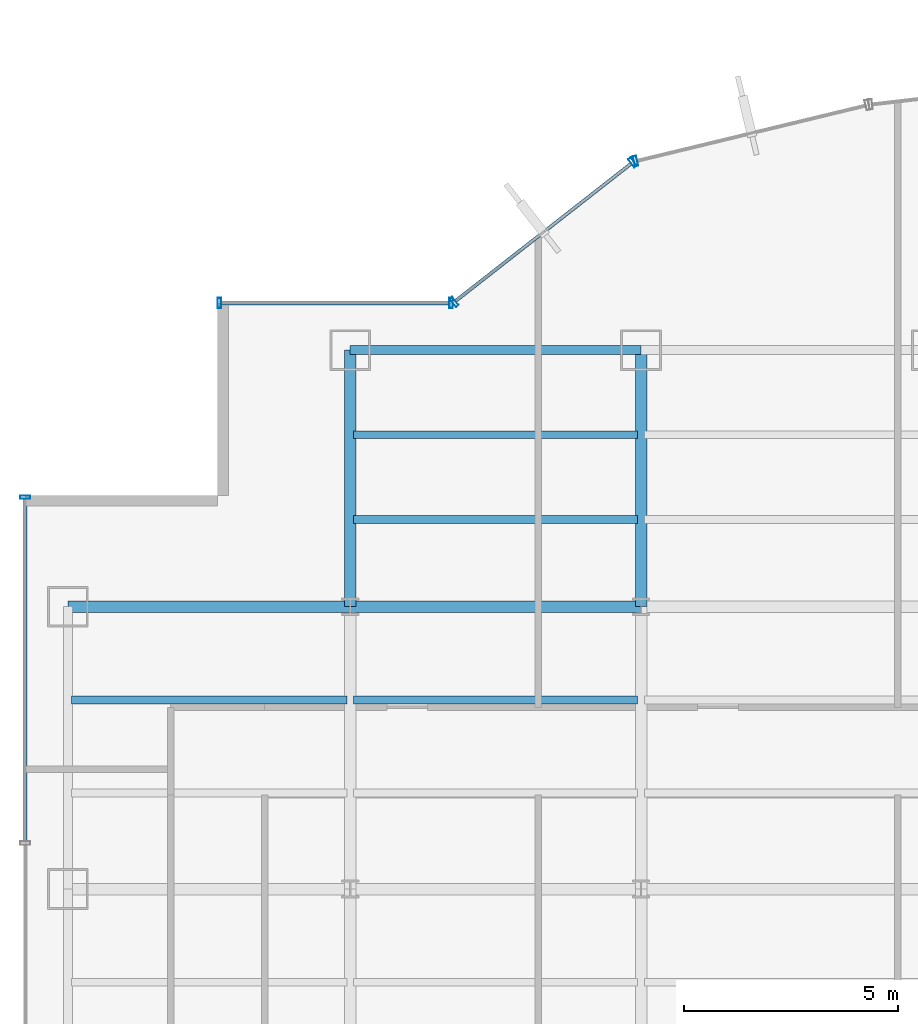
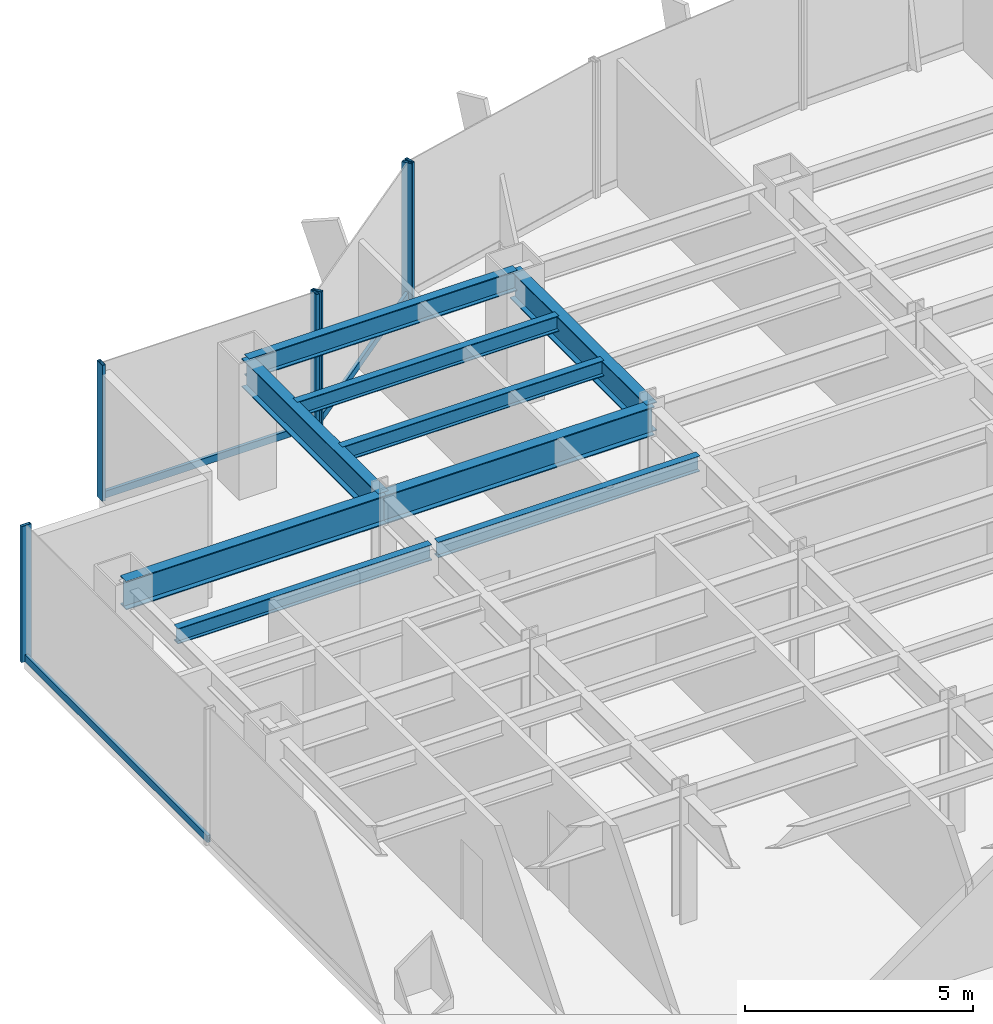
# One storey, part 10 of 22: 9 beams, 9 members, 4 elements without a shape of their own.
"""IFC4 building model written with IfcOpenShell, lengths in metres."""

from ifc_helpers import new_model, si_unit, derived_unit, direction, frame, origin, origin_2d, place, context, subcontext, project, spatial, hollow_rectangle, i_section, extrude, source, transform, mapped, material, material_profile, profile_set, type_object, element, aggregate, save


model = new_model("IFC4")

# Units and contexts
model_context = context("Model", 3, precision=1e-05, world=origin(), true_north=direction((0.0, 1.0)))
body_context = subcontext(model_context, "Body", "Model", "MODEL_VIEW")
ifc_project = project(units=[si_unit("LENGTHUNIT", "METRE"), si_unit("AREAUNIT", "SQUARE_METRE"), si_unit("VOLUMEUNIT", "CUBIC_METRE"), si_unit("PLANEANGLEUNIT", "RADIAN"), si_unit("MASSUNIT", "GRAM", prefix="KILO"), derived_unit("THERMALTRANSMITTANCEUNIT", [(si_unit("POWERUNIT", "WATT"), 1), (si_unit("LENGTHUNIT", "METRE"), -2), (si_unit("THERMODYNAMICTEMPERATUREUNIT", "KELVIN"), -1)])], contexts=[model_context])

# Site, building, storey
site_placement = place(None, origin())
site = spatial("IfcSite", under=ifc_project, at=site_placement, CompositionType="ELEMENT")
building_placement = place(site_placement, origin())
building = spatial("IfcBuilding", under=site, at=building_placement, Name="Skarnbrae Concourse Arena and Tower", CompositionType="ELEMENT")
storey_placement = place(building_placement, frame((0.0, 0.0, 65.35009765625)))
storey = spatial("IfcBuildingStorey", under=building, at=storey_placement, Name="L15", CompositionType="ELEMENT", Elevation=65.35009765625)

# Beams
ifc_material_1 = material(Name="Steel CSA G40.21 350W", Category="steel")
ifc_material_profile_1 = material_profile(ifc_material_1, i_section(OverallWidth=0.26806640625, OverallDepth=0.77001953125, WebThickness=0.015625, FlangeThickness=0.025390625, at=origin_2d()), Name="W760X196")
ifc_profile_set_1 = profile_set([ifc_material_profile_1], Name="Steel CSA G40.21 350W")
beam_type_1 = type_object("IfcBeamType", Name="BM-GIRD-W760X196", PredefinedType="BEAM", material=ifc_profile_set_1)
shared_shape_1 = source(origin(), body_context, "Body", "SweptSolid", [
    extrude(i_section(OverallWidth=0.26806640625, OverallDepth=0.77001953125, WebThickness=0.015625, FlangeThickness=0.025390625, at=origin_2d()), origin(), (0.0, 0.0, 1.0), 6.60009765625),
])
beam_1_placement = place(storey_placement, frame((1.0, 34.39990234375, 3.014892578125), z_axis=(1.0, 0.0, 0.0), x_axis=(0.0, 1.0, 0.0)))
element("IfcBeam", 1, at=beam_1_placement, inside=storey, type_object=beam_type_1, Name="L15 Primary E-W girder Y34.4-1", PredefinedType="BEAM", context=body_context, shape_type="MappedRepresentation", body=[
    mapped(shared_shape_1, transform((0.0, 0.0, 0.0))),
])
shared_shape_2 = source(origin(), body_context, "Body", "SweptSolid", [
    extrude(i_section(OverallWidth=0.26806640625, OverallDepth=0.77001953125, WebThickness=0.015625, FlangeThickness=0.025390625, at=origin_2d()), origin(), (0.0, 0.0, 1.0), 6.7998046875),
])
beam_2_placement = place(storey_placement, frame((7.60009765625, 34.39990234375, 3.014892578125), z_axis=(1.0, 0.0, 0.0), x_axis=(0.0, 1.0, 0.0)))
element("IfcBeam", 2, at=beam_2_placement, inside=storey, type_object=beam_type_1, Name="L15 Primary E-W girder Y34.4-2", PredefinedType="BEAM", context=body_context, shape_type="MappedRepresentation", body=[
    mapped(shared_shape_2, transform((0.0, 0.0, 0.0))),
])
shared_shape_3 = source(origin(), body_context, "Body", "SweptSolid", [
    extrude(i_section(OverallWidth=0.26806640625, OverallDepth=0.77001953125, WebThickness=0.015625, FlangeThickness=0.025390625, at=origin_2d()), origin(), (0.0, 0.0, 1.0), 6.0),
])
for number, where, z_axis, x_axis, name in (
    (3, (7.60009765625, 34.39990234375, 3.014892578125), (0.0, 1.0, 0.0), (-1.0, 0.0, 0.0), "L15 Primary N-S girder X7.6-4"),
    (4, (14.39990234375, 34.39990234375, 3.014892578125), (0.0, 1.0, 0.0), (-1.0, 0.0, 0.0), "L15 Primary N-S girder X14.4-4"),
):
    element("IfcBeam", number, at=place(storey_placement, frame(where, z_axis=z_axis, x_axis=x_axis)), inside=storey, type_object=beam_type_1, Name=name, PredefinedType="BEAM", context=body_context, shape_type="MappedRepresentation", body=[
        mapped(shared_shape_3, transform((0.0, 0.0, 0.0))),
    ])
ifc_material_profile_2 = material_profile(ifc_material_1, i_section(OverallWidth=0.214111328125, OverallDepth=0.549072265625, WebThickness=0.0146484375, FlangeThickness=0.023681640625, at=origin_2d()), Name="W530X138")
ifc_profile_set_2 = profile_set([ifc_material_profile_2], Name="Steel CSA G40.21 350W")
beam_type_2 = type_object("IfcBeamType", Name="BM-SPAN-W530X138", PredefinedType="SPANDREL", material=ifc_profile_set_2)
shared_shape_4 = source(origin(), body_context, "Body", "SweptSolid", [
    extrude(i_section(OverallWidth=0.214111328125, OverallDepth=0.549072265625, WebThickness=0.0146484375, FlangeThickness=0.023681640625, at=origin_2d()), origin(), (0.0, 0.0, 1.0), 6.7998046875),
])
beam_3_placement = place(storey_placement, frame((7.60009765625, 40.39990234375, 3.12548828125), z_axis=(1.0, 0.0, 0.0), x_axis=(0.0, 1.0, 0.0)))
element("IfcBeam", 5, at=beam_3_placement, inside=storey, type_object=beam_type_2, Name="L15 Perimeter spandrel Y40.4-1", PredefinedType="SPANDREL", context=body_context, shape_type="MappedRepresentation", body=[
    mapped(shared_shape_4, transform((0.0, 0.0, 0.0))),
])
ifc_material_profile_3 = material_profile(ifc_material_1, i_section(OverallWidth=0.180908203125, OverallDepth=0.4169921875, WebThickness=0.010986328125, FlangeThickness=0.018310546875, at=origin_2d()), Name="W410X85")
ifc_profile_set_3 = profile_set([ifc_material_profile_3], Name="Steel CSA G40.21 350W")
beam_type_3 = type_object("IfcBeamType", Name="BM-JOIST-W410X85", PredefinedType="JOIST", material=ifc_profile_set_3)
shared_shape_5 = source(origin(), body_context, "Body", "SweptSolid", [
    extrude(i_section(OverallWidth=0.180908203125, OverallDepth=0.4169921875, WebThickness=0.010986328125, FlangeThickness=0.018310546875, at=origin_2d()), origin(), (0.0, 0.0, 1.0), 6.43994140625),
])
beam_4_placement = place(storey_placement, frame((1.080078125, 32.221923828125, 3.19140625), z_axis=(1.0, 0.0, 0.0), x_axis=(0.0, 1.0, 0.0)))
element("IfcBeam", 6, at=beam_4_placement, inside=storey, type_object=beam_type_3, Name="L15 Secondary floor joist 3.2.1", PredefinedType="JOIST", context=body_context, shape_type="MappedRepresentation", body=[
    mapped(shared_shape_5, transform((0.0, 0.0, 0.0))),
])
shared_shape_6 = source(origin(), body_context, "Body", "SweptSolid", [
    extrude(i_section(OverallWidth=0.180908203125, OverallDepth=0.4169921875, WebThickness=0.010986328125, FlangeThickness=0.018310546875, at=origin_2d()), origin(), (0.0, 0.0, 1.0), 6.64013671875),
])
for number, where, z_axis, x_axis, name in (
    (7, (7.679931640625, 32.221923828125, 3.19140625), (1.0, 0.0, 0.0), (0.0, 1.0, 0.0), "L15 Secondary floor joist 3.2.2"),
    (8, (7.679931640625, 36.43994140625, 3.19140625), (1.0, 0.0, 0.0), (0.0, 1.0, 0.0), "L15 Secondary floor joist 4.1.1"),
    (9, (7.679931640625, 38.419921875, 3.19140625), (1.0, 0.0, 0.0), (0.0, 1.0, 0.0), "L15 Secondary floor joist 4.2.1"),
):
    element("IfcBeam", number, at=place(storey_placement, frame(where, z_axis=z_axis, x_axis=x_axis)), inside=storey, type_object=beam_type_3, Name=name, PredefinedType="JOIST", context=body_context, shape_type="MappedRepresentation", body=[
        mapped(shared_shape_6, transform((0.0, 0.0, 0.0))),
    ])

# Curtain wall, member
ifc_material_2 = material(Name="Bronze anodised aluminium 6063-T6", Category="aluminium")
curtain_wall_type = type_object("IfcCurtainWallType", Name="CW-SYS-02-LOWZONE", PredefinedType="USERDEFINED", material=ifc_material_2)
curtain_wall_1_placement = place(storey_placement, origin())
curtain_wall_1 = element("IfcCurtainWall", 10, at=curtain_wall_1_placement, inside=storey, type_object=curtain_wall_type, Name="L15 Unitised curtain wall CW-L15-E14", ObjectType="UNITISED CURTAIN WALL", PredefinedType="USERDEFINED")
ifc_material_profile_4 = material_profile(ifc_material_2, hollow_rectangle(XDim=0.080078125, YDim=0.239990234375, WallThickness=0.0048828125, at=origin_2d()), Name="ALU-MULL-80X240")
ifc_profile_set_4 = profile_set([ifc_material_profile_4], Name="Bronze anodised aluminium 6063-T6")
member_type_1 = type_object("IfcMemberType", Name="CWM-CW-02", PredefinedType="MULLION", material=ifc_profile_set_4)
shared_shape_7 = source(origin(), body_context, "Body", "SweptSolid", [
    extrude(hollow_rectangle(XDim=0.080078125, YDim=0.239990234375, WallThickness=0.0048828125, at=origin_2d()), origin(), (0.0, 0.0, 1.0), 3.64990234375),
])
member_1_placement = place(storey_placement, frame((14.272705078125, 44.821044921875, 0.0), z_axis=(0.0, 0.0, 1.0), x_axis=(-0.971973721569, -0.235089524607, 0.0)))
member_1 = element("IfcMember", 11, at=member_1_placement, type_object=member_type_1, Name="CW-L15-E14 Mullion 2", PredefinedType="MULLION", context=body_context, shape_type="MappedRepresentation", body=[
    mapped(shared_shape_7, transform((0.0, 0.0, 0.0))),
])
aggregate(curtain_wall_1, [member_1])

# Curtain wall, members
curtain_wall_2_placement = place(storey_placement, origin())
curtain_wall_2 = element("IfcCurtainWall", 12, at=curtain_wall_2_placement, inside=storey, type_object=curtain_wall_type, Name="L15 Unitised curtain wall CW-L15-E15", ObjectType="UNITISED CURTAIN WALL", PredefinedType="USERDEFINED")
member_2_placement = place(storey_placement, frame((14.2021484375, 44.787109375, 0.0), z_axis=(0.0, 0.0, 1.0), x_axis=(-0.787651726054, -0.616120733658, 0.0)))
member_2 = element("IfcMember", 13, at=member_2_placement, type_object=member_type_1, Name="CW-L15-E15 Mullion 1", PredefinedType="MULLION", context=body_context, shape_type="MappedRepresentation", body=[
    mapped(shared_shape_7, transform((0.0, 0.0, 0.0))),
])
member_3_placement = place(storey_placement, frame((10.031494140625, 41.524658203125, 0.0), z_axis=(0.0, 0.0, 1.0), x_axis=(-0.787651726054, -0.616120733658, 0.0)))
member_3 = element("IfcMember", 14, at=member_3_placement, type_object=member_type_1, Name="CW-L15-E15 Mullion 2", PredefinedType="MULLION", context=body_context, shape_type="MappedRepresentation", body=[
    mapped(shared_shape_7, transform((0.0, 0.0, 0.0))),
])

curtain_wall_3_placement = place(storey_placement, origin())
curtain_wall_3 = element("IfcCurtainWall", 15, at=curtain_wall_3_placement, inside=storey, type_object=curtain_wall_type, Name="L15 Unitised curtain wall CW-L15-E16", ObjectType="UNITISED CURTAIN WALL", PredefinedType="USERDEFINED")
member_4_placement = place(storey_placement, frame((9.9599609375, 41.5, 0.0), z_axis=(0.0, 0.0, 1.0), x_axis=(-1.0, 0.0, 0.0)))
member_4 = element("IfcMember", 16, at=member_4_placement, type_object=member_type_1, Name="CW-L15-E16 Mullion 1", PredefinedType="MULLION", context=body_context, shape_type="MappedRepresentation", body=[
    mapped(shared_shape_7, transform((0.0, 0.0, 0.0))),
])
member_5_placement = place(storey_placement, frame((4.5400390625, 41.5, 0.0), z_axis=(0.0, 0.0, 1.0), x_axis=(-1.0, 0.0, 0.0)))
member_5 = element("IfcMember", 17, at=member_5_placement, type_object=member_type_1, Name="CW-L15-E16 Mullion 2", PredefinedType="MULLION", context=body_context, shape_type="MappedRepresentation", body=[
    mapped(shared_shape_7, transform((0.0, 0.0, 0.0))),
])

# Curtain wall, member
curtain_wall_4_placement = place(storey_placement, origin())
curtain_wall_4 = element("IfcCurtainWall", 18, at=curtain_wall_4_placement, inside=storey, type_object=curtain_wall_type, Name="L15 Unitised curtain wall CW-L15-E19", ObjectType="UNITISED CURTAIN WALL", PredefinedType="USERDEFINED")
member_6_placement = place(storey_placement, frame((0.0, 36.9599609375, 0.0), z_axis=(0.0, 0.0, 1.0), x_axis=(0.0, -1.0, 0.0)))
member_6 = element("IfcMember", 19, at=member_6_placement, type_object=member_type_1, Name="CW-L15-E19 Mullion 1", PredefinedType="MULLION", context=body_context, shape_type="MappedRepresentation", body=[
    mapped(shared_shape_7, transform((0.0, 0.0, 0.0))),
])

# Member
ifc_material_profile_5 = material_profile(ifc_material_2, hollow_rectangle(XDim=0.080078125, YDim=0.18994140625, WallThickness=0.0048828125, at=origin_2d()), Name="ALU-TRAN-80X190")
ifc_profile_set_5 = profile_set([ifc_material_profile_5], Name="Bronze anodised aluminium 6063-T6")
member_type_2 = type_object("IfcMemberType", Name="CWT-CW-02", PredefinedType="USERDEFINED", material=ifc_profile_set_5)
shared_shape_8 = source(origin(), body_context, "Body", "SweptSolid", [
    extrude(hollow_rectangle(XDim=0.080078125, YDim=0.18994140625, WallThickness=0.0048828125, at=origin_2d()), origin(), (0.0, 0.0, 1.0), 5.33984375),
])
member_7_placement = place(storey_placement, frame((9.919921875, 41.5, 0.094970703125), z_axis=(-1.0, 0.0, 0.0), x_axis=(0.0, -1.0, 0.0)))
member_7 = element("IfcMember", 20, at=member_7_placement, type_object=member_type_2, Name="CW-L15-E16 Transom 1", ObjectType="TRANSOM", PredefinedType="USERDEFINED", context=body_context, shape_type="MappedRepresentation", body=[
    mapped(shared_shape_8, transform((0.0, 0.0, 0.0))),
])

aggregate(curtain_wall_3, [member_4, member_5, member_7])

shared_shape_9 = source(origin(), body_context, "Body", "SweptSolid", [
    extrude(hollow_rectangle(XDim=0.080078125, YDim=0.18994140625, WallThickness=0.0048828125, at=origin_2d()), origin(), (0.0, 0.0, 1.0), 5.215087890625),
])
member_8_placement = place(storey_placement, frame((14.170654296875, 44.762451171875, 0.094970703125), z_axis=(-0.787650196702, -0.616122688784, 0.0), x_axis=(0.616122688784, -0.787650196702, 0.0)))
member_8 = element("IfcMember", 21, at=member_8_placement, type_object=member_type_2, Name="CW-L15-E15 Transom 1", ObjectType="TRANSOM", PredefinedType="USERDEFINED", context=body_context, shape_type="MappedRepresentation", body=[
    mapped(shared_shape_9, transform((0.0, 0.0, 0.0))),
])

aggregate(curtain_wall_2, [member_2, member_3, member_8])

shared_shape_10 = source(origin(), body_context, "Body", "SweptSolid", [
    extrude(hollow_rectangle(XDim=0.080078125, YDim=0.18994140625, WallThickness=0.0048828125, at=origin_2d()), origin(), (0.0, 0.0, 1.0), 8.0048828125),
])
member_9_placement = place(storey_placement, frame((0.0, 36.919921875, 0.094970703125), z_axis=(0.0, -1.0, 0.0), x_axis=(1.0, 0.0, 0.0)))
member_9 = element("IfcMember", 22, at=member_9_placement, type_object=member_type_2, Name="CW-L15-E19 Transom 1", ObjectType="TRANSOM", PredefinedType="USERDEFINED", context=body_context, shape_type="MappedRepresentation", body=[
    mapped(shared_shape_10, transform((0.0, 0.0, 0.0))),
])

aggregate(curtain_wall_4, [member_6, member_9])

save(model, "model.ifc")
